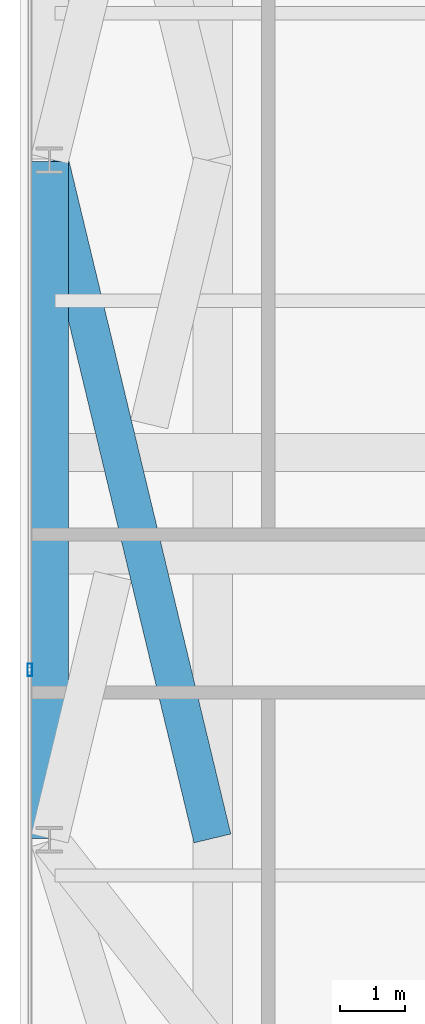
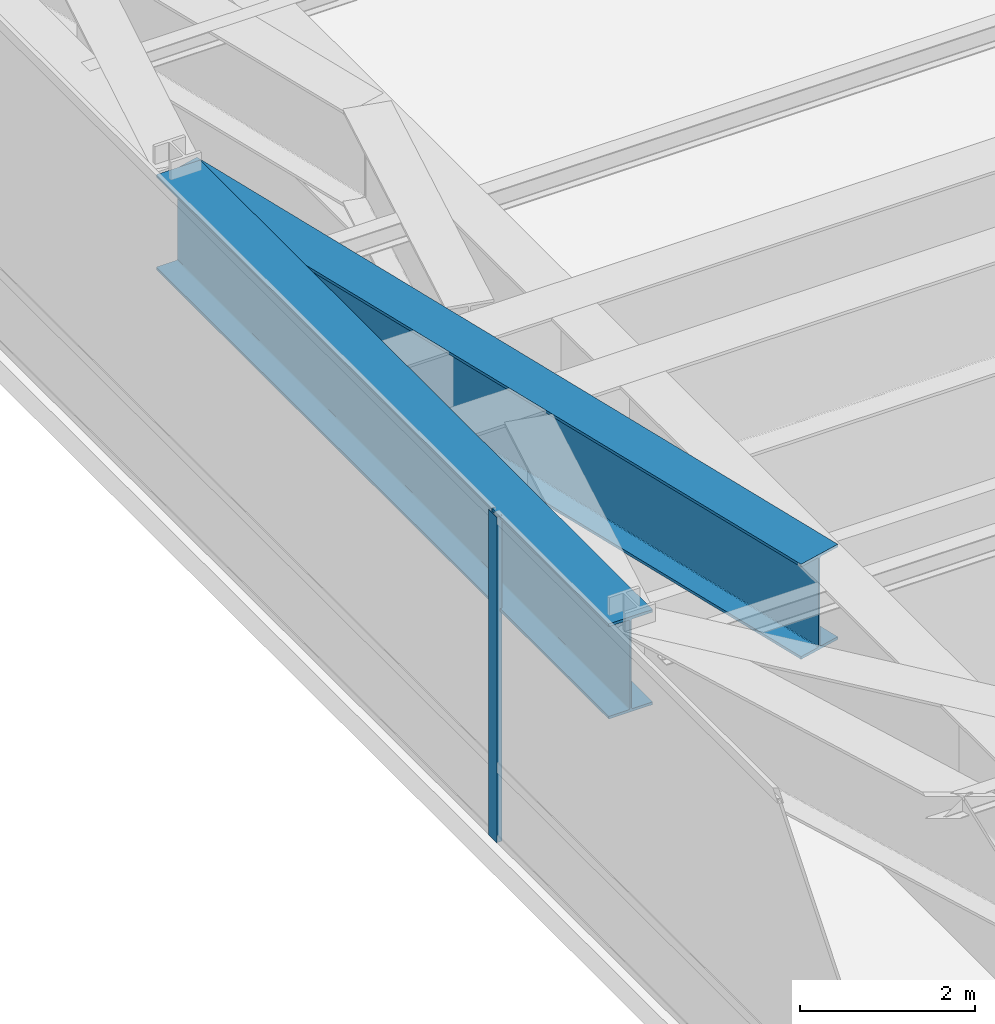
# One storey, part 8 of 30: 2 beams, 1 member, 1 element without a shape of its own.
"""IFC4 building model written with IfcOpenShell, lengths in metres."""

from ifc_helpers import new_model, si_unit, direction, frame, origin, origin_2d, place, context, subcontext, project, spatial, hollow_rectangle, i_section, extrude, source, transform, mapped, material, layer, layer_set, material_profile, profile_set, type_object, type_shapes, element, aggregate, save


model = new_model("IFC4")

# Units and contexts
model_context = context("Model", 3, precision=1e-05, world=origin(), true_north=direction((0.0, 1.0)))
body_context = subcontext(model_context, "Body", "Model", "MODEL_VIEW")
ifc_project = project(units=[si_unit("LENGTHUNIT", "METRE"), si_unit("AREAUNIT", "SQUARE_METRE"), si_unit("VOLUMEUNIT", "CUBIC_METRE"), si_unit("PLANEANGLEUNIT", "RADIAN"), si_unit("MASSUNIT", "GRAM", prefix="KILO")], contexts=[model_context])

# Site, building, storey
site_placement = place(None, origin())
site = spatial("IfcSite", under=ifc_project, at=site_placement, CompositionType="ELEMENT")
building_placement = place(site_placement, origin())
building = spatial("IfcBuilding", under=site, at=building_placement, Name="Varnel Quay Broadcast Tower", CompositionType="ELEMENT")
storey_placement = place(building_placement, frame((0.0, 0.0, 82.199951171875)))
storey = spatial("IfcBuildingStorey", under=building, at=storey_placement, Name="L19", CompositionType="ELEMENT", Elevation=82.199951171875)

# Beams
ifc_material_1 = material(Name="Structural Steel CSA G40.21 350WT", Category="steel")
ifc_material_profile_1 = material_profile(ifc_material_1, i_section(OverallWidth=0.580078125, OverallDepth=1.330078125, WebThickness=0.02197265625, FlangeThickness=0.0380859375, FilletRadius=0.02001953125, at=origin_2d()), Name="WWF1330X535")
ifc_profile_set_1 = profile_set([ifc_material_profile_1], Name="Structural Steel CSA G40.21 350WT")
beam_type = type_object("IfcBeamType", Name="Girder_WWF1330X535", PredefinedType="BEAM", material=ifc_profile_set_1)
shared_shape_1 = source(origin(), body_context, "Body", "SweptSolid", [
    extrude(i_section(OverallWidth=0.580078125, OverallDepth=1.330078125, WebThickness=0.02197265625, FlangeThickness=0.0380859375, FilletRadius=0.02001953125, at=origin_2d()), origin(), (0.0, 0.0, 1.0), 10.35986328125),
])
beam_1_placement = place(storey_placement, frame((2.449951171875, 15.02001953125, 3.885009765625), z_axis=(0.0, 1.0, 0.0), x_axis=(-1.0, 0.0, 0.0)))
element("IfcBeam", 1, at=beam_1_placement, inside=storey, type_object=beam_type, Name="L19 West Transfer Spine TC-W1-TC-W2", PredefinedType="BEAM", context=body_context, shape_type="MappedRepresentation", body=[
    mapped(shared_shape_1, transform((0.0, 0.0, 0.0), x_axis=(1.0, 0.0, 0.0), y_axis=(0.0, 1.0, 0.0), z_axis=(0.0, 0.0, 1.0), scale=1.0)),
])
shared_shape_2 = source(origin(), body_context, "Body", "SweptSolid", [
    extrude(i_section(OverallWidth=0.580078125, OverallDepth=1.330078125, WebThickness=0.02197265625, FlangeThickness=0.0380859375, FilletRadius=0.02001953125, at=origin_2d()), origin(), (0.0, 0.0, 1.0), 10.656494140625),
])
type_shapes(beam_type, [shared_shape_1, shared_shape_2])
beam_2_placement = place(storey_placement, frame((2.45458984375, 25.380615234375, 3.885009765625), z_axis=(0.233728198443, -0.972301974313, 0.0), x_axis=(0.972301974313, 0.233728198443, 0.0)))
element("IfcBeam", 2, at=beam_2_placement, inside=storey, type_object=beam_type, Name="L19 X-Braced Transfer Tie TC-W1-TC-W2", PredefinedType="BEAM", context=body_context, shape_type="MappedRepresentation", body=[
    mapped(shared_shape_2, transform((0.0, 0.0, 0.0), x_axis=(1.0, 0.0, 0.0), y_axis=(0.0, 1.0, 0.0), z_axis=(0.0, 0.0, 1.0), scale=1.0)),
])

# Curtain wall, member
ifc_material_2 = material(Name="Anodised Bronze Aluminium 6063-T6", Category="aluminium")
ifc_layer = layer(ifc_material_2, 0.18994140625, Name="Anodised Bronze Aluminium 6063-T6")
ifc_layer_set = layer_set([ifc_layer], Name="Anodised Bronze Aluminium 6063-T6")
curtain_wall_type = type_object("IfcCurtainWallType", Name="CW_LowerTower", PredefinedType="NOTDEFINED", material=ifc_layer_set)
curtain_wall_placement = place(storey_placement, origin())
curtain_wall = element("IfcCurtainWall", 3, at=curtain_wall_placement, inside=storey, type_object=curtain_wall_type, Name="L19 West Unitised Curtain Wall", PredefinedType="NOTDEFINED")
ifc_material_profile_2 = material_profile(ifc_material_2, hollow_rectangle(XDim=0.070068359375, YDim=0.18994140625, WallThickness=0.00390625, at=origin_2d()), Name="ALU70X190X4")
ifc_profile_set_2 = profile_set([ifc_material_profile_2], Name="Anodised Bronze Aluminium 6063-T6")
member_type = type_object("IfcMemberType", Name="Mull_CWS-02", PredefinedType="MULLION", material=ifc_profile_set_2)
shared_shape_3 = source(origin(), body_context, "Body", "SweptSolid", [
    extrude(hollow_rectangle(XDim=0.070068359375, YDim=0.18994140625, WallThickness=0.00390625, at=origin_2d()), origin(), (0.0, 0.0, 1.0), 4.550048828125),
])
type_shapes(member_type, [shared_shape_3])
member_placement = place(storey_placement, frame((2.14990234375, 17.60009765625, 0.0), z_axis=(0.0, 0.0, 1.0), x_axis=(-1.0, 0.0, 0.0)))
member = element("IfcMember", 4, at=member_placement, type_object=member_type, Name="CWS-02 mullion 2", PredefinedType="MULLION", context=body_context, shape_type="MappedRepresentation", body=[
    mapped(shared_shape_3, transform((0.0, 0.0, 0.0), x_axis=(1.0, 0.0, 0.0), y_axis=(0.0, 1.0, 0.0), z_axis=(0.0, 0.0, 1.0), scale=1.0)),
])
aggregate(curtain_wall, [member])

save(model, "model.ifc")
